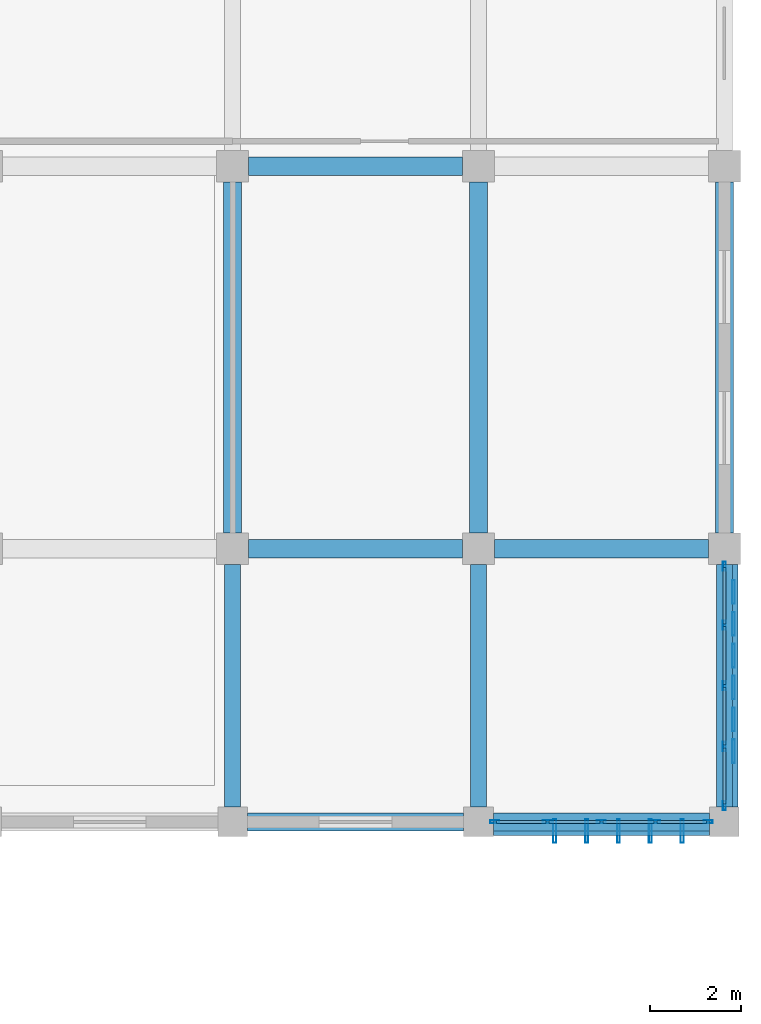
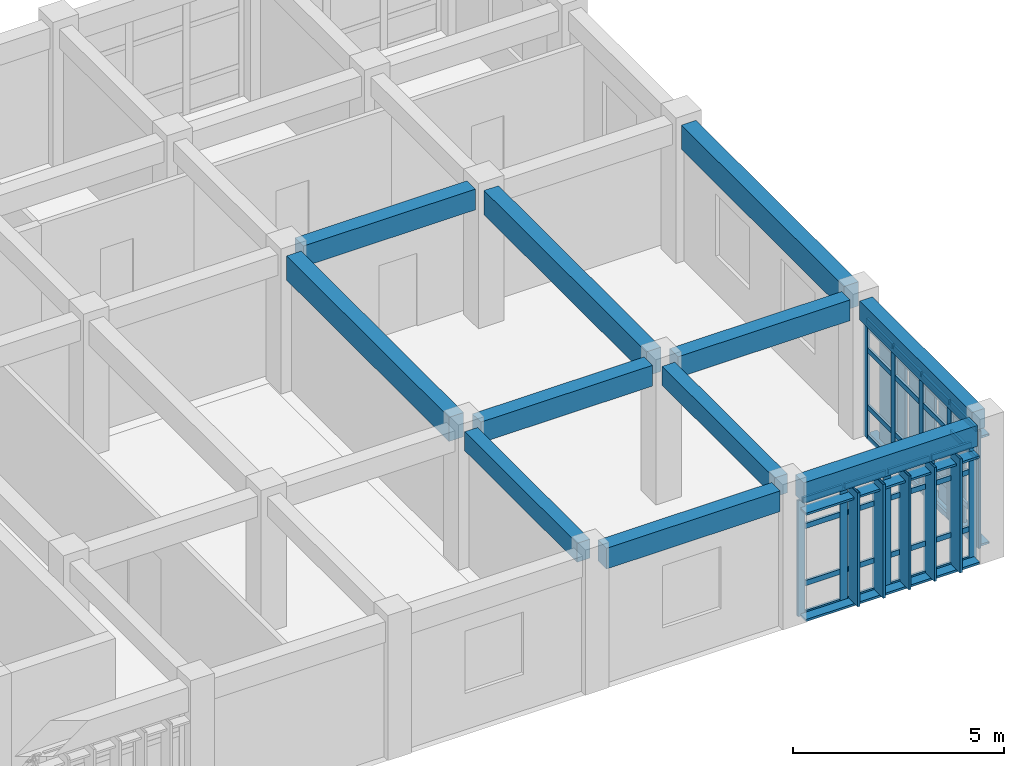
# One storey, part 14 of 23: 57 members, 11 beams, 2 elements without a shape of their own.
"""IFC4 building model written with IfcOpenShell, lengths in metres."""

from ifc_helpers import new_model, si_unit, direction, frame, origin, origin_2d, place, context, subcontext, project, spatial, rectangle, hollow_rectangle, extrude, material, layer, layer_set, material_profile, profile_set, type_object, element, aggregate, save


model = new_model("IFC4")

# Units and contexts
model_context = context("Model", 3, precision=1e-05, world=origin(), true_north=direction((0.0, 1.0)))
body_context = subcontext(model_context, "Body", "Model", "MODEL_VIEW")
ifc_project = project(units=[si_unit("LENGTHUNIT", "METRE"), si_unit("AREAUNIT", "SQUARE_METRE"), si_unit("VOLUMEUNIT", "CUBIC_METRE"), si_unit("PLANEANGLEUNIT", "RADIAN"), si_unit("MASSUNIT", "GRAM", prefix="KILO")], contexts=[model_context])

# Site, building, storey
site_placement = place(None, origin())
site = spatial("IfcSite", under=ifc_project, at=site_placement, CompositionType="ELEMENT")
building_placement = place(site_placement, origin())
building = spatial("IfcBuilding", under=site, at=building_placement, Name="Krzemoval Escarpment Law Courts", CompositionType="ELEMENT")
storey_placement = place(building_placement, frame((0.0, 0.0, 25.199951171875)))
storey = spatial("IfcBuildingStorey", under=building, at=storey_placement, Name="L05", CompositionType="ELEMENT", Elevation=25.199951171875)

# Beams
ifc_material_1 = material(Name="Concrete C40/50", Category="concrete")
ifc_material_profile_1 = material_profile(ifc_material_1, rectangle(XDim=0.35009765625, YDim=0.550048828125, at=origin_2d()), Name="RCB 350x550")
ifc_profile_set_1 = profile_set([ifc_material_profile_1], Name="Concrete C40/50")
beam_type_1 = type_object("IfcBeamType", Name="BM-RC-350x550", PredefinedType="BEAM", material=ifc_profile_set_1)
for number, where, z_axis, x_axis, name in (
    (1, (162.0, 93.925048828125, 3.675048828125), (0.0, 1.0, 0.0), (-1.0, 0.0, 0.0), "Beam FG-L05-2620"),
    (2, (167.39990234375, 93.925048828125, 3.675048828125), (0.0, 1.0, 0.0), (-1.0, 0.0, 0.0), "Beam FG-L05-2624"),
    (3, (172.800048828125, 93.925048828125, 3.675048828125), (0.0, 1.0, 0.0), (-1.0, 0.0, 0.0), "Beam FG-L05-2628"),
):
    element("IfcBeam", number, at=place(storey_placement, frame(where, z_axis=z_axis, x_axis=x_axis)), inside=storey, type_object=beam_type_1, Name=name, PredefinedType="BEAM", context=body_context, shape_type="SweptSolid", body=[
        extrude(rectangle(XDim=0.35009765625, YDim=0.550048828125, at=origin_2d()), origin(), (0.0, 0.0, 1.0), 5.324951171875),
    ])
ifc_material_2 = material(Name="Concrete C40/50", Category="concrete")
ifc_material_profile_2 = material_profile(ifc_material_2, rectangle(XDim=0.39990234375, YDim=0.60009765625, at=origin_2d()), Name="RCB 400x600")
ifc_profile_set_2 = profile_set([ifc_material_profile_2], Name="Concrete C40/50")
beam_type_2 = type_object("IfcBeamType", Name="BM-RC-400x600", PredefinedType="BEAM", material=ifc_profile_set_2)
for number, where, z_axis, x_axis, name in (
    (4, (162.324951171875, 93.60009765625, 3.650146484375), (1.0, 0.0, 0.0), (0.0, 1.0, 0.0), "Beam FG-L05-2573"),
    (5, (167.72509765625, 93.60009765625, 3.650146484375), (1.0, 0.0, 0.0), (0.0, 1.0, 0.0), "Beam FG-L05-2574"),
):
    element("IfcBeam", number, at=place(storey_placement, frame(where, z_axis=z_axis, x_axis=x_axis)), inside=storey, type_object=beam_type_2, Name=name, PredefinedType="BEAM", context=body_context, shape_type="SweptSolid", body=[
        extrude(rectangle(XDim=0.39990234375, YDim=0.60009765625, at=origin_2d()), origin(), (0.0, 0.0, 1.0), 4.75),
    ])
for number, where, z_axis, x_axis, name in (
    (6, (162.35009765625, 99.60009765625, 3.650146484375), (1.0, 0.0, 0.0), (0.0, 1.0, 0.0), "Beam FG-L05-2577"),
    (7, (167.75, 99.60009765625, 3.650146484375), (1.0, 0.0, 0.0), (0.0, 1.0, 0.0), "Beam FG-L05-2578"),
    (8, (162.35009765625, 108.0, 3.650146484375), (1.0, 0.0, 0.0), (0.0, 1.0, 0.0), "Beam FG-L05-2581"),
):
    element("IfcBeam", number, at=place(storey_placement, frame(where, z_axis=z_axis, x_axis=x_axis)), inside=storey, type_object=beam_type_2, Name=name, PredefinedType="BEAM", context=body_context, shape_type="SweptSolid", body=[
        extrude(rectangle(XDim=0.39990234375, YDim=0.60009765625, at=origin_2d()), origin(), (0.0, 0.0, 1.0), 4.699951171875),
    ])
ifc_material_3 = material(Name="Concrete C40/50", Category="concrete")
ifc_material_profile_3 = material_profile(ifc_material_3, rectangle(XDim=0.39990234375, YDim=0.699951171875, at=origin_2d()), Name="RCB 400x700")
ifc_profile_set_3 = profile_set([ifc_material_profile_3], Name="Concrete C40/50")
beam_type_3 = type_object("IfcBeamType", Name="BM-RC-400x700", PredefinedType="BEAM", material=ifc_profile_set_3)
for number, where, z_axis, x_axis, name in (
    (9, (162.0, 99.949951171875, 3.60009765625), (0.0, 1.0, 0.0), (-1.0, 0.0, 0.0), "Beam FG-L05-2621"),
    (10, (167.39990234375, 99.949951171875, 3.60009765625), (0.0, 1.0, 0.0), (-1.0, 0.0, 0.0), "Beam FG-L05-2625"),
    (11, (172.800048828125, 99.949951171875, 3.60009765625), (0.0, 1.0, 0.0), (-1.0, 0.0, 0.0), "Beam FG-L05-2629"),
):
    element("IfcBeam", number, at=place(storey_placement, frame(where, z_axis=z_axis, x_axis=x_axis)), inside=storey, type_object=beam_type_3, Name=name, PredefinedType="BEAM", context=body_context, shape_type="SweptSolid", body=[
        extrude(rectangle(XDim=0.39990234375, YDim=0.699951171875, at=origin_2d()), origin(), (0.0, 0.0, 1.0), 7.699951171875),
    ])

# Curtain wall, members
ifc_material_4 = material(Name="Aluminium 6063-T6", Category="aluminium")
ifc_layer = layer(ifc_material_4, 0.219970703125)
ifc_layer_set = layer_set([ifc_layer], Name="Aluminium 6063-T6")
curtain_wall_type = type_object("IfcCurtainWallType", Name="CW-CHMB-4200", PredefinedType="USERDEFINED", material=ifc_layer_set)
curtain_wall_1_placement = place(storey_placement, origin())
curtain_wall_1 = element("IfcCurtainWall", 12, at=curtain_wall_1_placement, inside=storey, type_object=curtain_wall_type, Name="Unitised Curtain Wall FCW-L05-142", ObjectType="UNITISED_CURTAIN_WALL", PredefinedType="USERDEFINED")
ifc_material_5 = material(Name="Aluminium 6063-T6", Category="aluminium")
ifc_material_profile_4 = material_profile(ifc_material_5, hollow_rectangle(XDim=0.06494140625, YDim=0.199951171875, WallThickness=0.00439453125, at=origin_2d()), Name="ALU M65x200")
ifc_profile_set_4 = profile_set([ifc_material_profile_4], Name="Aluminium 6063-T6")
member_type_1 = type_object("IfcMemberType", Name="CWM-65x200", PredefinedType="MULLION", material=ifc_profile_set_4)
member_1_placement = place(storey_placement, frame((172.800048828125, 99.217529296875, 0.0), z_axis=(0.0, 0.0, 1.0), x_axis=(1.0, 0.0, 0.0)))
member_1 = element("IfcMember", 13, at=member_1_placement, type_object=member_type_1, Name="FCW-L05-142 mullion 1", PredefinedType="MULLION", context=body_context, shape_type="SweptSolid", body=[
    extrude(hollow_rectangle(XDim=0.06494140625, YDim=0.199951171875, WallThickness=0.00439453125, at=origin_2d()), origin(), (0.0, 0.0, 1.0), 3.400146484375),
])
member_2_placement = place(storey_placement, frame((172.800048828125, 97.918701171875, 0.0), z_axis=(0.0, 0.0, 1.0), x_axis=(1.0, 0.0, 0.0)))
member_2 = element("IfcMember", 14, at=member_2_placement, type_object=member_type_1, Name="FCW-L05-142 mullion 2", PredefinedType="MULLION", context=body_context, shape_type="SweptSolid", body=[
    extrude(hollow_rectangle(XDim=0.06494140625, YDim=0.199951171875, WallThickness=0.00439453125, at=origin_2d()), origin(), (0.0, 0.0, 1.0), 3.400146484375),
])
member_3_placement = place(storey_placement, frame((172.800048828125, 96.58740234375, 0.0), z_axis=(0.0, 0.0, 1.0), x_axis=(1.0, 0.0, 0.0)))
member_3 = element("IfcMember", 15, at=member_3_placement, type_object=member_type_1, Name="FCW-L05-142 mullion 3", PredefinedType="MULLION", context=body_context, shape_type="SweptSolid", body=[
    extrude(hollow_rectangle(XDim=0.06494140625, YDim=0.199951171875, WallThickness=0.00439453125, at=origin_2d()), origin(), (0.0, 0.0, 1.0), 3.400146484375),
])
member_4_placement = place(storey_placement, frame((172.800048828125, 95.25634765625, 0.0), z_axis=(0.0, 0.0, 1.0), x_axis=(1.0, 0.0, 0.0)))
member_4 = element("IfcMember", 16, at=member_4_placement, type_object=member_type_1, Name="FCW-L05-142 mullion 4", PredefinedType="MULLION", context=body_context, shape_type="SweptSolid", body=[
    extrude(hollow_rectangle(XDim=0.06494140625, YDim=0.199951171875, WallThickness=0.00439453125, at=origin_2d()), origin(), (0.0, 0.0, 1.0), 3.400146484375),
])
member_5_placement = place(storey_placement, frame((172.800048828125, 93.95751953125, 0.0), z_axis=(0.0, 0.0, 1.0), x_axis=(1.0, 0.0, 0.0)))
member_5 = element("IfcMember", 17, at=member_5_placement, type_object=member_type_1, Name="FCW-L05-142 mullion 5", PredefinedType="MULLION", context=body_context, shape_type="SweptSolid", body=[
    extrude(hollow_rectangle(XDim=0.06494140625, YDim=0.199951171875, WallThickness=0.00439453125, at=origin_2d()), origin(), (0.0, 0.0, 1.0), 3.400146484375),
])

curtain_wall_2_placement = place(storey_placement, origin())
curtain_wall_2 = element("IfcCurtainWall", 18, at=curtain_wall_2_placement, inside=storey, type_object=curtain_wall_type, Name="Unitised Curtain Wall FCW-L05-143", ObjectType="UNITISED_CURTAIN_WALL", PredefinedType="USERDEFINED")
member_6_placement = place(storey_placement, frame((172.4423828125, 93.60009765625, 0.0), z_axis=(0.0, 0.0, 1.0), x_axis=(0.0, -1.0, 0.0)))
member_6 = element("IfcMember", 19, at=member_6_placement, type_object=member_type_1, Name="FCW-L05-143 mullion 1", PredefinedType="MULLION", context=body_context, shape_type="SweptSolid", body=[
    extrude(hollow_rectangle(XDim=0.06494140625, YDim=0.199951171875, WallThickness=0.00439453125, at=origin_2d()), origin(), (0.0, 0.0, 1.0), 3.35009765625),
])
member_7_placement = place(storey_placement, frame((171.28759765625, 93.60009765625, 0.0), z_axis=(0.0, 0.0, 1.0), x_axis=(0.0, -1.0, 0.0)))
member_7 = element("IfcMember", 20, at=member_7_placement, type_object=member_type_1, Name="FCW-L05-143 mullion 2", PredefinedType="MULLION", context=body_context, shape_type="SweptSolid", body=[
    extrude(hollow_rectangle(XDim=0.06494140625, YDim=0.199951171875, WallThickness=0.00439453125, at=origin_2d()), origin(), (0.0, 0.0, 1.0), 3.35009765625),
])
member_8_placement = place(storey_placement, frame((170.10009765625, 93.60009765625, 0.0), z_axis=(0.0, 0.0, 1.0), x_axis=(0.0, -1.0, 0.0)))
member_8 = element("IfcMember", 21, at=member_8_placement, type_object=member_type_1, Name="FCW-L05-143 mullion 3", PredefinedType="MULLION", context=body_context, shape_type="SweptSolid", body=[
    extrude(hollow_rectangle(XDim=0.06494140625, YDim=0.199951171875, WallThickness=0.00439453125, at=origin_2d()), origin(), (0.0, 0.0, 1.0), 3.35009765625),
])
member_9_placement = place(storey_placement, frame((168.91259765625, 93.60009765625, 0.0), z_axis=(0.0, 0.0, 1.0), x_axis=(0.0, -1.0, 0.0)))
member_9 = element("IfcMember", 22, at=member_9_placement, type_object=member_type_1, Name="FCW-L05-143 mullion 4", PredefinedType="MULLION", context=body_context, shape_type="SweptSolid", body=[
    extrude(hollow_rectangle(XDim=0.06494140625, YDim=0.199951171875, WallThickness=0.00439453125, at=origin_2d()), origin(), (0.0, 0.0, 1.0), 3.35009765625),
])
member_10_placement = place(storey_placement, frame((167.757568359375, 93.60009765625, 0.0), z_axis=(0.0, 0.0, 1.0), x_axis=(0.0, -1.0, 0.0)))
member_10 = element("IfcMember", 23, at=member_10_placement, type_object=member_type_1, Name="FCW-L05-143 mullion 5", PredefinedType="MULLION", context=body_context, shape_type="SweptSolid", body=[
    extrude(hollow_rectangle(XDim=0.06494140625, YDim=0.199951171875, WallThickness=0.00439453125, at=origin_2d()), origin(), (0.0, 0.0, 1.0), 3.35009765625),
])

# Member
ifc_material_6 = material(Name="Aluminium 6063-T6", Category="aluminium")
ifc_material_profile_5 = material_profile(ifc_material_6, hollow_rectangle(XDim=0.06494140625, YDim=0.14990234375, WallThickness=0.00439453125, at=origin_2d()), Name="ALU T65x150")
ifc_profile_set_5 = profile_set([ifc_material_profile_5], Name="Aluminium 6063-T6")
member_type_2 = type_object("IfcMemberType", Name="CWT-65x150", PredefinedType="USERDEFINED", material=ifc_profile_set_5)
member_11_placement = place(storey_placement, frame((172.800048828125, 99.18505859375, 0.032470703125), z_axis=(0.0, -1.0, 0.0), x_axis=(1.0, 0.0, 0.0)))
member_11 = element("IfcMember", 24, at=member_11_placement, type_object=member_type_2, Name="FCW-L05-142 transom 1.1", ObjectType="TRANSOM", PredefinedType="USERDEFINED", context=body_context, shape_type="SweptSolid", body=[
    extrude(hollow_rectangle(XDim=0.06494140625, YDim=0.14990234375, WallThickness=0.00439453125, at=origin_2d()), origin(), (0.0, 0.0, 1.0), 1.23388671875),
])

member_12_placement = place(storey_placement, frame((172.800048828125, 99.18505859375, 0.900146484375), z_axis=(0.0, -1.0, 0.0), x_axis=(1.0, 0.0, 0.0)))
member_12 = element("IfcMember", 25, at=member_12_placement, type_object=member_type_2, Name="FCW-L05-142 transom 1.2", ObjectType="TRANSOM", PredefinedType="USERDEFINED", context=body_context, shape_type="SweptSolid", body=[
    extrude(hollow_rectangle(XDim=0.06494140625, YDim=0.14990234375, WallThickness=0.00439453125, at=origin_2d()), origin(), (0.0, 0.0, 1.0), 1.23388671875),
])

member_13_placement = place(storey_placement, frame((172.800048828125, 99.18505859375, 2.550048828125), z_axis=(0.0, -1.0, 0.0), x_axis=(1.0, 0.0, 0.0)))
member_13 = element("IfcMember", 26, at=member_13_placement, type_object=member_type_2, Name="FCW-L05-142 transom 1.3", ObjectType="TRANSOM", PredefinedType="USERDEFINED", context=body_context, shape_type="SweptSolid", body=[
    extrude(hollow_rectangle(XDim=0.06494140625, YDim=0.14990234375, WallThickness=0.00439453125, at=origin_2d()), origin(), (0.0, 0.0, 1.0), 1.23388671875),
])

member_14_placement = place(storey_placement, frame((172.800048828125, 99.18505859375, 3.367431640625), z_axis=(0.0, -1.0, 0.0), x_axis=(1.0, 0.0, 0.0)))
member_14 = element("IfcMember", 27, at=member_14_placement, type_object=member_type_2, Name="FCW-L05-142 transom 1.4", ObjectType="TRANSOM", PredefinedType="USERDEFINED", context=body_context, shape_type="SweptSolid", body=[
    extrude(hollow_rectangle(XDim=0.06494140625, YDim=0.14990234375, WallThickness=0.00439453125, at=origin_2d()), origin(), (0.0, 0.0, 1.0), 1.23388671875),
])

member_15_placement = place(storey_placement, frame((172.800048828125, 97.88623046875, 0.032470703125), z_axis=(0.0, -1.0, 0.0), x_axis=(1.0, 0.0, 0.0)))
member_15 = element("IfcMember", 28, at=member_15_placement, type_object=member_type_2, Name="FCW-L05-142 transom 2.1", ObjectType="TRANSOM", PredefinedType="USERDEFINED", context=body_context, shape_type="SweptSolid", body=[
    extrude(hollow_rectangle(XDim=0.06494140625, YDim=0.14990234375, WallThickness=0.00439453125, at=origin_2d()), origin(), (0.0, 0.0, 1.0), 1.26611328125),
])

member_16_placement = place(storey_placement, frame((172.800048828125, 97.88623046875, 0.900146484375), z_axis=(0.0, -1.0, 0.0), x_axis=(1.0, 0.0, 0.0)))
member_16 = element("IfcMember", 29, at=member_16_placement, type_object=member_type_2, Name="FCW-L05-142 transom 2.2", ObjectType="TRANSOM", PredefinedType="USERDEFINED", context=body_context, shape_type="SweptSolid", body=[
    extrude(hollow_rectangle(XDim=0.06494140625, YDim=0.14990234375, WallThickness=0.00439453125, at=origin_2d()), origin(), (0.0, 0.0, 1.0), 1.26611328125),
])

member_17_placement = place(storey_placement, frame((172.800048828125, 97.88623046875, 2.550048828125), z_axis=(0.0, -1.0, 0.0), x_axis=(1.0, 0.0, 0.0)))
member_17 = element("IfcMember", 30, at=member_17_placement, type_object=member_type_2, Name="FCW-L05-142 transom 2.3", ObjectType="TRANSOM", PredefinedType="USERDEFINED", context=body_context, shape_type="SweptSolid", body=[
    extrude(hollow_rectangle(XDim=0.06494140625, YDim=0.14990234375, WallThickness=0.00439453125, at=origin_2d()), origin(), (0.0, 0.0, 1.0), 1.26611328125),
])

member_18_placement = place(storey_placement, frame((172.800048828125, 97.88623046875, 3.367431640625), z_axis=(0.0, -1.0, 0.0), x_axis=(1.0, 0.0, 0.0)))
member_18 = element("IfcMember", 31, at=member_18_placement, type_object=member_type_2, Name="FCW-L05-142 transom 2.4", ObjectType="TRANSOM", PredefinedType="USERDEFINED", context=body_context, shape_type="SweptSolid", body=[
    extrude(hollow_rectangle(XDim=0.06494140625, YDim=0.14990234375, WallThickness=0.00439453125, at=origin_2d()), origin(), (0.0, 0.0, 1.0), 1.26611328125),
])

member_19_placement = place(storey_placement, frame((172.800048828125, 96.554931640625, 0.032470703125), z_axis=(0.0, -1.0, 0.0), x_axis=(1.0, 0.0, 0.0)))
member_19 = element("IfcMember", 32, at=member_19_placement, type_object=member_type_2, Name="FCW-L05-142 transom 3.1", ObjectType="TRANSOM", PredefinedType="USERDEFINED", context=body_context, shape_type="SweptSolid", body=[
    extrude(hollow_rectangle(XDim=0.06494140625, YDim=0.14990234375, WallThickness=0.00439453125, at=origin_2d()), origin(), (0.0, 0.0, 1.0), 1.26611328125),
])

member_20_placement = place(storey_placement, frame((172.800048828125, 96.554931640625, 0.900146484375), z_axis=(0.0, -1.0, 0.0), x_axis=(1.0, 0.0, 0.0)))
member_20 = element("IfcMember", 33, at=member_20_placement, type_object=member_type_2, Name="FCW-L05-142 transom 3.2", ObjectType="TRANSOM", PredefinedType="USERDEFINED", context=body_context, shape_type="SweptSolid", body=[
    extrude(hollow_rectangle(XDim=0.06494140625, YDim=0.14990234375, WallThickness=0.00439453125, at=origin_2d()), origin(), (0.0, 0.0, 1.0), 1.26611328125),
])

member_21_placement = place(storey_placement, frame((172.800048828125, 96.554931640625, 2.550048828125), z_axis=(0.0, -1.0, 0.0), x_axis=(1.0, 0.0, 0.0)))
member_21 = element("IfcMember", 34, at=member_21_placement, type_object=member_type_2, Name="FCW-L05-142 transom 3.3", ObjectType="TRANSOM", PredefinedType="USERDEFINED", context=body_context, shape_type="SweptSolid", body=[
    extrude(hollow_rectangle(XDim=0.06494140625, YDim=0.14990234375, WallThickness=0.00439453125, at=origin_2d()), origin(), (0.0, 0.0, 1.0), 1.26611328125),
])

member_22_placement = place(storey_placement, frame((172.800048828125, 96.554931640625, 3.367431640625), z_axis=(0.0, -1.0, 0.0), x_axis=(1.0, 0.0, 0.0)))
member_22 = element("IfcMember", 35, at=member_22_placement, type_object=member_type_2, Name="FCW-L05-142 transom 3.4", ObjectType="TRANSOM", PredefinedType="USERDEFINED", context=body_context, shape_type="SweptSolid", body=[
    extrude(hollow_rectangle(XDim=0.06494140625, YDim=0.14990234375, WallThickness=0.00439453125, at=origin_2d()), origin(), (0.0, 0.0, 1.0), 1.26611328125),
])

member_23_placement = place(storey_placement, frame((172.800048828125, 95.2236328125, 0.032470703125), z_axis=(0.0, -1.0, 0.0), x_axis=(1.0, 0.0, 0.0)))
member_23 = element("IfcMember", 36, at=member_23_placement, type_object=member_type_2, Name="FCW-L05-142 transom 4.1", ObjectType="TRANSOM", PredefinedType="USERDEFINED", context=body_context, shape_type="SweptSolid", body=[
    extrude(hollow_rectangle(XDim=0.06494140625, YDim=0.14990234375, WallThickness=0.00439453125, at=origin_2d()), origin(), (0.0, 0.0, 1.0), 1.233642578125),
])

member_24_placement = place(storey_placement, frame((172.800048828125, 95.2236328125, 0.900146484375), z_axis=(0.0, -1.0, 0.0), x_axis=(1.0, 0.0, 0.0)))
member_24 = element("IfcMember", 37, at=member_24_placement, type_object=member_type_2, Name="FCW-L05-142 transom 4.2", ObjectType="TRANSOM", PredefinedType="USERDEFINED", context=body_context, shape_type="SweptSolid", body=[
    extrude(hollow_rectangle(XDim=0.06494140625, YDim=0.14990234375, WallThickness=0.00439453125, at=origin_2d()), origin(), (0.0, 0.0, 1.0), 1.233642578125),
])

member_25_placement = place(storey_placement, frame((172.800048828125, 95.2236328125, 2.550048828125), z_axis=(0.0, -1.0, 0.0), x_axis=(1.0, 0.0, 0.0)))
member_25 = element("IfcMember", 38, at=member_25_placement, type_object=member_type_2, Name="FCW-L05-142 transom 4.3", ObjectType="TRANSOM", PredefinedType="USERDEFINED", context=body_context, shape_type="SweptSolid", body=[
    extrude(hollow_rectangle(XDim=0.06494140625, YDim=0.14990234375, WallThickness=0.00439453125, at=origin_2d()), origin(), (0.0, 0.0, 1.0), 1.233642578125),
])

member_26_placement = place(storey_placement, frame((172.800048828125, 95.2236328125, 3.367431640625), z_axis=(0.0, -1.0, 0.0), x_axis=(1.0, 0.0, 0.0)))
member_26 = element("IfcMember", 39, at=member_26_placement, type_object=member_type_2, Name="FCW-L05-142 transom 4.4", ObjectType="TRANSOM", PredefinedType="USERDEFINED", context=body_context, shape_type="SweptSolid", body=[
    extrude(hollow_rectangle(XDim=0.06494140625, YDim=0.14990234375, WallThickness=0.00439453125, at=origin_2d()), origin(), (0.0, 0.0, 1.0), 1.233642578125),
])

aggregate(curtain_wall_1, [member_1, member_2, member_3, member_4, member_5, member_11, member_12, member_13, member_14, member_15, member_16, member_17, member_18, member_19, member_20, member_21, member_22, member_23, member_24, member_25, member_26])

member_27_placement = place(storey_placement, frame((172.409912109375, 93.60009765625, 0.032470703125), z_axis=(-1.0, 0.0, 0.0), x_axis=(0.0, -1.0, 0.0)))
member_27 = element("IfcMember", 40, at=member_27_placement, type_object=member_type_2, Name="FCW-L05-143 transom 1.1", ObjectType="TRANSOM", PredefinedType="USERDEFINED", context=body_context, shape_type="SweptSolid", body=[
    extrude(hollow_rectangle(XDim=0.06494140625, YDim=0.14990234375, WallThickness=0.00439453125, at=origin_2d()), origin(), (0.0, 0.0, 1.0), 1.08984375),
])

member_28_placement = place(storey_placement, frame((172.409912109375, 93.60009765625, 0.900146484375), z_axis=(-1.0, 0.0, 0.0), x_axis=(0.0, -1.0, 0.0)))
member_28 = element("IfcMember", 41, at=member_28_placement, type_object=member_type_2, Name="FCW-L05-143 transom 1.2", ObjectType="TRANSOM", PredefinedType="USERDEFINED", context=body_context, shape_type="SweptSolid", body=[
    extrude(hollow_rectangle(XDim=0.06494140625, YDim=0.14990234375, WallThickness=0.00439453125, at=origin_2d()), origin(), (0.0, 0.0, 1.0), 1.08984375),
])

member_29_placement = place(storey_placement, frame((172.409912109375, 93.60009765625, 2.550048828125), z_axis=(-1.0, 0.0, 0.0), x_axis=(0.0, -1.0, 0.0)))
member_29 = element("IfcMember", 42, at=member_29_placement, type_object=member_type_2, Name="FCW-L05-143 transom 1.3", ObjectType="TRANSOM", PredefinedType="USERDEFINED", context=body_context, shape_type="SweptSolid", body=[
    extrude(hollow_rectangle(XDim=0.06494140625, YDim=0.14990234375, WallThickness=0.00439453125, at=origin_2d()), origin(), (0.0, 0.0, 1.0), 1.08984375),
])

member_30_placement = place(storey_placement, frame((172.409912109375, 93.60009765625, 3.317626953125), z_axis=(-1.0, 0.0, 0.0), x_axis=(0.0, -1.0, 0.0)))
member_30 = element("IfcMember", 43, at=member_30_placement, type_object=member_type_2, Name="FCW-L05-143 transom 1.4", ObjectType="TRANSOM", PredefinedType="USERDEFINED", context=body_context, shape_type="SweptSolid", body=[
    extrude(hollow_rectangle(XDim=0.06494140625, YDim=0.14990234375, WallThickness=0.00439453125, at=origin_2d()), origin(), (0.0, 0.0, 1.0), 1.08984375),
])

member_31_placement = place(storey_placement, frame((171.2548828125, 93.60009765625, 0.032470703125), z_axis=(-1.0, 0.0, 0.0), x_axis=(0.0, -1.0, 0.0)))
member_31 = element("IfcMember", 44, at=member_31_placement, type_object=member_type_2, Name="FCW-L05-143 transom 2.1", ObjectType="TRANSOM", PredefinedType="USERDEFINED", context=body_context, shape_type="SweptSolid", body=[
    extrude(hollow_rectangle(XDim=0.06494140625, YDim=0.14990234375, WallThickness=0.00439453125, at=origin_2d()), origin(), (0.0, 0.0, 1.0), 1.122314453125),
])

member_32_placement = place(storey_placement, frame((171.2548828125, 93.60009765625, 0.900146484375), z_axis=(-1.0, 0.0, 0.0), x_axis=(0.0, -1.0, 0.0)))
member_32 = element("IfcMember", 45, at=member_32_placement, type_object=member_type_2, Name="FCW-L05-143 transom 2.2", ObjectType="TRANSOM", PredefinedType="USERDEFINED", context=body_context, shape_type="SweptSolid", body=[
    extrude(hollow_rectangle(XDim=0.06494140625, YDim=0.14990234375, WallThickness=0.00439453125, at=origin_2d()), origin(), (0.0, 0.0, 1.0), 1.122314453125),
])

member_33_placement = place(storey_placement, frame((171.2548828125, 93.60009765625, 2.550048828125), z_axis=(-1.0, 0.0, 0.0), x_axis=(0.0, -1.0, 0.0)))
member_33 = element("IfcMember", 46, at=member_33_placement, type_object=member_type_2, Name="FCW-L05-143 transom 2.3", ObjectType="TRANSOM", PredefinedType="USERDEFINED", context=body_context, shape_type="SweptSolid", body=[
    extrude(hollow_rectangle(XDim=0.06494140625, YDim=0.14990234375, WallThickness=0.00439453125, at=origin_2d()), origin(), (0.0, 0.0, 1.0), 1.122314453125),
])

member_34_placement = place(storey_placement, frame((171.2548828125, 93.60009765625, 3.317626953125), z_axis=(-1.0, 0.0, 0.0), x_axis=(0.0, -1.0, 0.0)))
member_34 = element("IfcMember", 47, at=member_34_placement, type_object=member_type_2, Name="FCW-L05-143 transom 2.4", ObjectType="TRANSOM", PredefinedType="USERDEFINED", context=body_context, shape_type="SweptSolid", body=[
    extrude(hollow_rectangle(XDim=0.06494140625, YDim=0.14990234375, WallThickness=0.00439453125, at=origin_2d()), origin(), (0.0, 0.0, 1.0), 1.122314453125),
])

member_35_placement = place(storey_placement, frame((170.0673828125, 93.60009765625, 0.032470703125), z_axis=(-1.0, 0.0, 0.0), x_axis=(0.0, -1.0, 0.0)))
member_35 = element("IfcMember", 48, at=member_35_placement, type_object=member_type_2, Name="FCW-L05-143 transom 3.1", ObjectType="TRANSOM", PredefinedType="USERDEFINED", context=body_context, shape_type="SweptSolid", body=[
    extrude(hollow_rectangle(XDim=0.06494140625, YDim=0.14990234375, WallThickness=0.00439453125, at=origin_2d()), origin(), (0.0, 0.0, 1.0), 1.122314453125),
])

member_36_placement = place(storey_placement, frame((170.0673828125, 93.60009765625, 0.900146484375), z_axis=(-1.0, 0.0, 0.0), x_axis=(0.0, -1.0, 0.0)))
member_36 = element("IfcMember", 49, at=member_36_placement, type_object=member_type_2, Name="FCW-L05-143 transom 3.2", ObjectType="TRANSOM", PredefinedType="USERDEFINED", context=body_context, shape_type="SweptSolid", body=[
    extrude(hollow_rectangle(XDim=0.06494140625, YDim=0.14990234375, WallThickness=0.00439453125, at=origin_2d()), origin(), (0.0, 0.0, 1.0), 1.122314453125),
])

member_37_placement = place(storey_placement, frame((170.0673828125, 93.60009765625, 2.550048828125), z_axis=(-1.0, 0.0, 0.0), x_axis=(0.0, -1.0, 0.0)))
member_37 = element("IfcMember", 50, at=member_37_placement, type_object=member_type_2, Name="FCW-L05-143 transom 3.3", ObjectType="TRANSOM", PredefinedType="USERDEFINED", context=body_context, shape_type="SweptSolid", body=[
    extrude(hollow_rectangle(XDim=0.06494140625, YDim=0.14990234375, WallThickness=0.00439453125, at=origin_2d()), origin(), (0.0, 0.0, 1.0), 1.122314453125),
])

member_38_placement = place(storey_placement, frame((170.0673828125, 93.60009765625, 3.317626953125), z_axis=(-1.0, 0.0, 0.0), x_axis=(0.0, -1.0, 0.0)))
member_38 = element("IfcMember", 51, at=member_38_placement, type_object=member_type_2, Name="FCW-L05-143 transom 3.4", ObjectType="TRANSOM", PredefinedType="USERDEFINED", context=body_context, shape_type="SweptSolid", body=[
    extrude(hollow_rectangle(XDim=0.06494140625, YDim=0.14990234375, WallThickness=0.00439453125, at=origin_2d()), origin(), (0.0, 0.0, 1.0), 1.122314453125),
])

member_39_placement = place(storey_placement, frame((168.8798828125, 93.60009765625, 0.032470703125), z_axis=(-1.0, 0.0, 0.0), x_axis=(0.0, -1.0, 0.0)))
member_39 = element("IfcMember", 52, at=member_39_placement, type_object=member_type_2, Name="FCW-L05-143 transom 4.1", ObjectType="TRANSOM", PredefinedType="USERDEFINED", context=body_context, shape_type="SweptSolid", body=[
    extrude(hollow_rectangle(XDim=0.06494140625, YDim=0.14990234375, WallThickness=0.00439453125, at=origin_2d()), origin(), (0.0, 0.0, 1.0), 1.08984375),
])

member_40_placement = place(storey_placement, frame((168.8798828125, 93.60009765625, 0.900146484375), z_axis=(-1.0, 0.0, 0.0), x_axis=(0.0, -1.0, 0.0)))
member_40 = element("IfcMember", 53, at=member_40_placement, type_object=member_type_2, Name="FCW-L05-143 transom 4.2", ObjectType="TRANSOM", PredefinedType="USERDEFINED", context=body_context, shape_type="SweptSolid", body=[
    extrude(hollow_rectangle(XDim=0.06494140625, YDim=0.14990234375, WallThickness=0.00439453125, at=origin_2d()), origin(), (0.0, 0.0, 1.0), 1.08984375),
])

member_41_placement = place(storey_placement, frame((168.8798828125, 93.60009765625, 2.550048828125), z_axis=(-1.0, 0.0, 0.0), x_axis=(0.0, -1.0, 0.0)))
member_41 = element("IfcMember", 54, at=member_41_placement, type_object=member_type_2, Name="FCW-L05-143 transom 4.3", ObjectType="TRANSOM", PredefinedType="USERDEFINED", context=body_context, shape_type="SweptSolid", body=[
    extrude(hollow_rectangle(XDim=0.06494140625, YDim=0.14990234375, WallThickness=0.00439453125, at=origin_2d()), origin(), (0.0, 0.0, 1.0), 1.08984375),
])

member_42_placement = place(storey_placement, frame((168.8798828125, 93.60009765625, 3.317626953125), z_axis=(-1.0, 0.0, 0.0), x_axis=(0.0, -1.0, 0.0)))
member_42 = element("IfcMember", 55, at=member_42_placement, type_object=member_type_2, Name="FCW-L05-143 transom 4.4", ObjectType="TRANSOM", PredefinedType="USERDEFINED", context=body_context, shape_type="SweptSolid", body=[
    extrude(hollow_rectangle(XDim=0.06494140625, YDim=0.14990234375, WallThickness=0.00439453125, at=origin_2d()), origin(), (0.0, 0.0, 1.0), 1.08984375),
])

aggregate(curtain_wall_2, [member_6, member_7, member_8, member_9, member_10, member_27, member_28, member_29, member_30, member_31, member_32, member_33, member_34, member_35, member_36, member_37, member_38, member_39, member_40, member_41, member_42])

# Members
ifc_material_7 = material(Name="Anodised Aluminium Alloy 6063-T6", Category="aluminium")
ifc_material_profile_6 = material_profile(ifc_material_7, hollow_rectangle(XDim=0.06005859375, YDim=0.320068359375, WallThickness=0.00390625, at=origin_2d()), Name="ALU LVR 60x320")
ifc_profile_set_6 = profile_set([ifc_material_profile_6], Name="Anodised Aluminium Alloy 6063-T6")
member_type_3 = type_object("IfcMemberType", Name="LVR-ALU-320", PredefinedType="USERDEFINED", material=ifc_profile_set_6)
for number, where, z_axis, x_axis, name in (
    (56, (172.93994140625, 99.25, 0.030029296875), (0.0, -1.0, 0.0), (0.0, 0.0, 1.0), "Sunshade Support Rail FSR-L05-0935"),
    (57, (172.93994140625, 99.25, 3.150146484375), (0.0, -1.0, 0.0), (0.0, 0.0, 1.0), "Sunshade Support Rail FSR-L05-0936"),
):
    element("IfcMember", number, at=place(storey_placement, frame(where, z_axis=z_axis, x_axis=x_axis)), inside=storey, type_object=member_type_3, Name=name, ObjectType="SUNSHADE_LOUVRE", PredefinedType="USERDEFINED", context=body_context, shape_type="SweptSolid", body=[
        extrude(hollow_rectangle(XDim=0.06005859375, YDim=0.320068359375, WallThickness=0.00390625, at=origin_2d()), origin(), (0.0, 0.0, 1.0), 5.324951171875),
    ])
for number, where, z_axis, x_axis, name in (
    (58, (172.47509765625, 93.4599609375, 0.030029296875), (-1.0, 0.0, 0.0), (0.0, 0.0, 1.0), "Sunshade Support Rail FSR-L05-0943"),
    (59, (172.47509765625, 93.4599609375, 3.10009765625), (-1.0, 0.0, 0.0), (0.0, 0.0, 1.0), "Sunshade Support Rail FSR-L05-0944"),
):
    element("IfcMember", number, at=place(storey_placement, frame(where, z_axis=z_axis, x_axis=x_axis)), inside=storey, type_object=member_type_3, Name=name, ObjectType="SUNSHADE_LOUVRE", PredefinedType="USERDEFINED", context=body_context, shape_type="SweptSolid", body=[
        extrude(hollow_rectangle(XDim=0.06005859375, YDim=0.320068359375, WallThickness=0.00390625, at=origin_2d()), origin(), (0.0, 0.0, 1.0), 4.75),
    ])
ifc_material_8 = material(Name="Anodised Aluminium Alloy 6063-T6", Category="aluminium")
ifc_material_profile_7 = material_profile(ifc_material_8, hollow_rectangle(XDim=0.06494140625, YDim=0.52001953125, WallThickness=0.00439453125, at=origin_2d()), Name="ALU LVR 65x520")
ifc_profile_set_7 = profile_set([ifc_material_profile_7], Name="Anodised Aluminium Alloy 6063-T6")
member_type_4 = type_object("IfcMemberType", Name="LVR-ALU-520", PredefinedType="USERDEFINED", material=ifc_profile_set_7)
for number, where, z_axis, x_axis, name in (
    (60, (173.0, 98.64990234375, 0.06005859375), (0.0, 0.0, 1.0), (1.0, 0.0, 0.0), "Sunshade Louvre Fin FLV-L05-0937"),
    (61, (173.0, 97.949951171875, 0.06005859375), (0.0, 0.0, 1.0), (1.0, 0.0, 0.0), "Sunshade Louvre Fin FLV-L05-0938"),
    (62, (173.0, 97.25, 0.06005859375), (0.0, 0.0, 1.0), (1.0, 0.0, 0.0), "Sunshade Louvre Fin FLV-L05-0939"),
    (63, (173.0, 96.550048828125, 0.06005859375), (0.0, 0.0, 1.0), (1.0, 0.0, 0.0), "Sunshade Louvre Fin FLV-L05-0940"),
    (64, (173.0, 95.85009765625, 0.06005859375), (0.0, 0.0, 1.0), (1.0, 0.0, 0.0), "Sunshade Louvre Fin FLV-L05-0941"),
    (65, (173.0, 95.14990234375, 0.06005859375), (0.0, 0.0, 1.0), (1.0, 0.0, 0.0), "Sunshade Louvre Fin FLV-L05-0942"),
):
    element("IfcMember", number, at=place(storey_placement, frame(where, z_axis=z_axis, x_axis=x_axis)), inside=storey, type_object=member_type_4, Name=name, ObjectType="SUNSHADE_LOUVRE", PredefinedType="USERDEFINED", context=body_context, shape_type="SweptSolid", body=[
        extrude(hollow_rectangle(XDim=0.06494140625, YDim=0.52001953125, WallThickness=0.00439453125, at=origin_2d()), origin(), (0.0, 0.0, 1.0), 3.340087890625),
    ])
for number, where, z_axis, x_axis, name in (
    (66, (171.875, 93.39990234375, 0.06005859375), (0.0, 0.0, 1.0), (1.0, 0.0, 0.0), "Sunshade Louvre Fin FLV-L05-0945"),
    (67, (171.175048828125, 93.39990234375, 0.06005859375), (0.0, 0.0, 1.0), (1.0, 0.0, 0.0), "Sunshade Louvre Fin FLV-L05-0946"),
    (68, (170.47509765625, 93.39990234375, 0.06005859375), (0.0, 0.0, 1.0), (1.0, 0.0, 0.0), "Sunshade Louvre Fin FLV-L05-0947"),
    (69, (169.77490234375, 93.39990234375, 0.06005859375), (0.0, 0.0, 1.0), (1.0, 0.0, 0.0), "Sunshade Louvre Fin FLV-L05-0948"),
    (70, (169.074951171875, 93.39990234375, 0.06005859375), (0.0, 0.0, 1.0), (1.0, 0.0, 0.0), "Sunshade Louvre Fin FLV-L05-0949"),
):
    element("IfcMember", number, at=place(storey_placement, frame(where, z_axis=z_axis, x_axis=x_axis)), inside=storey, type_object=member_type_4, Name=name, ObjectType="SUNSHADE_LOUVRE", PredefinedType="USERDEFINED", context=body_context, shape_type="SweptSolid", body=[
        extrude(hollow_rectangle(XDim=0.06494140625, YDim=0.52001953125, WallThickness=0.00439453125, at=origin_2d()), origin(), (0.0, 0.0, 1.0), 3.2900390625),
    ])

save(model, "model.ifc")
